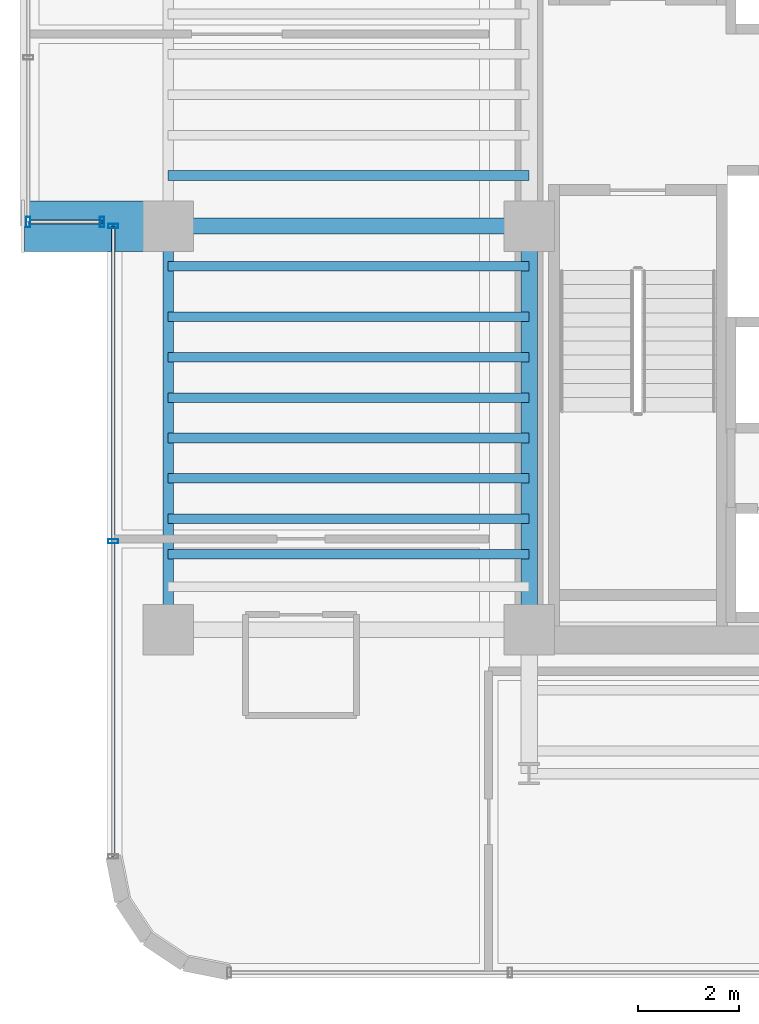
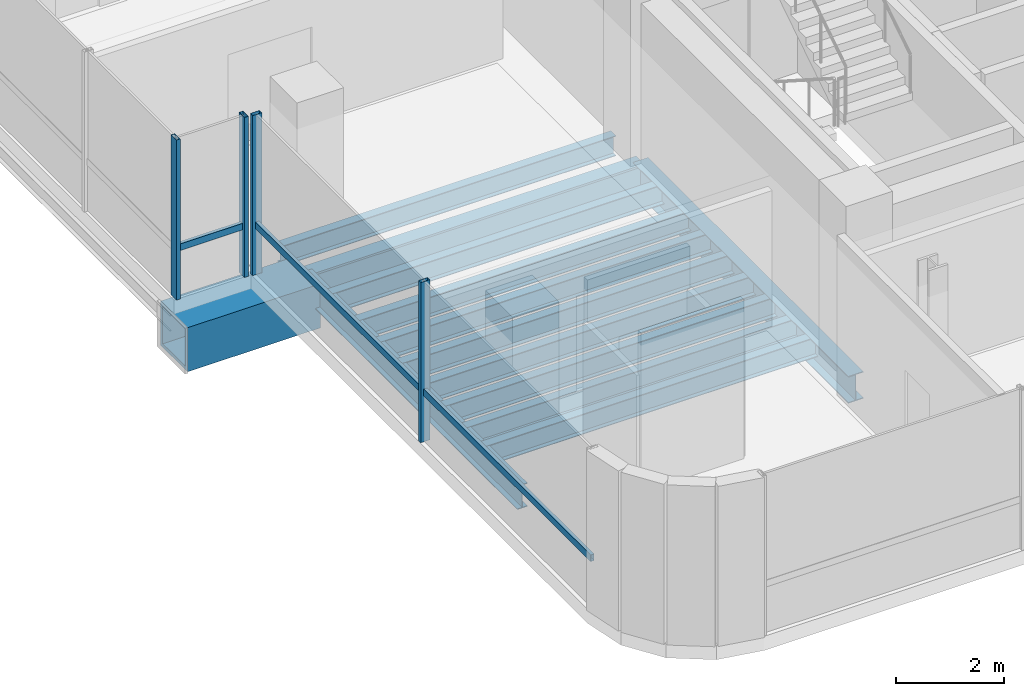
# One storey, part 4 of 36: 13 beams, 6 members, 2 elements without a shape of their own.
"""IFC4 building model written with IfcOpenShell, lengths in metres."""

from ifc_helpers import new_model, si_unit, direction, frame, origin, origin_2d, place, context, subcontext, project, spatial, hollow_rectangle, i_section, extrude, source, transform, mapped, material, material_profile, profile_set, type_object, element, aggregate, save


model = new_model("IFC4")

# Units and contexts
model_context = context("Model", 3, precision=1e-05, world=origin(), true_north=direction((0.0, 1.0)))
body_context = subcontext(model_context, "Body", "Model", "MODEL_VIEW")
ifc_project = project(units=[si_unit("LENGTHUNIT", "METRE"), si_unit("AREAUNIT", "SQUARE_METRE"), si_unit("VOLUMEUNIT", "CUBIC_METRE"), si_unit("PLANEANGLEUNIT", "RADIAN"), si_unit("MASSUNIT", "GRAM", prefix="KILO")], contexts=[model_context])

# Site, building, storey
site_placement = place(None, origin())
site = spatial("IfcSite", under=ifc_project, at=site_placement, CompositionType="ELEMENT")
building_placement = place(site_placement, origin())
building = spatial("IfcBuilding", under=site, at=building_placement, Name="Valdorenza Pilgrim Sanctuary Tower", CompositionType="ELEMENT")
storey_placement = place(building_placement, frame((0.0, 0.0, 176.550048828125)))
storey = spatial("IfcBuildingStorey", under=building, at=storey_placement, Name="L45", CompositionType="ELEMENT", Elevation=176.550048828125)

# Beams
ifc_material_1 = material(Name="Steel ASTM A992 Grade 50", Category="steel")
ifc_material_profile_1 = material_profile(ifc_material_1, i_section(OverallWidth=0.323974609375, OverallDepth=0.611083984375, WebThickness=0.0126953125, FlangeThickness=0.01904296875, at=origin_2d()), Name="W24X104")
ifc_profile_set_1 = profile_set([ifc_material_profile_1], Name="Steel ASTM A992 Grade 50")
beam_type_1 = type_object("IfcBeamType", Name="STR-BM-GRD-W24B", PredefinedType="BEAM", material=ifc_profile_set_1)
shared_shape_1 = source(origin(), body_context, "Body", "SweptSolid", [
    extrude(i_section(OverallWidth=0.323974609375, OverallDepth=0.611083984375, WebThickness=0.0126953125, FlangeThickness=0.01904296875, at=origin_2d()), origin(), (0.0, 0.0, 1.0), 8.0),
])
beam_1_placement = place(storey_placement, frame((-22.64990234375, -10.60009765625, -0.62548828125), z_axis=(0.0, 1.0, 0.0), x_axis=(-1.0, 0.0, 0.0)))
element("IfcBeam", 1, at=beam_1_placement, inside=storey, type_object=beam_type_1, Name="L45 Core Tie Girder CA-W-S1M0", PredefinedType="BEAM", context=body_context, shape_type="MappedRepresentation", body=[
    mapped(shared_shape_1, transform((0.0, 0.0, 0.0), x_axis=(1.0, 0.0, 0.0), y_axis=(0.0, 1.0, 0.0), z_axis=(0.0, 0.0, 1.0), scale=1.0)),
])
ifc_material_profile_2 = material_profile(ifc_material_1, i_section(OverallWidth=0.19091796875, OverallDepth=0.45703125, WebThickness=0.009033203125, FlangeThickness=0.014404296875, at=origin_2d()), Name="W18X50")
ifc_profile_set_2 = profile_set([ifc_material_profile_2], Name="Steel ASTM A992 Grade 50")
beam_type_2 = type_object("IfcBeamType", Name="STR-BM-JST-W18B", PredefinedType="JOIST", material=ifc_profile_set_2)
shared_shape_2 = source(origin(), body_context, "Body", "SweptSolid", [
    extrude(i_section(OverallWidth=0.19091796875, OverallDepth=0.45703125, WebThickness=0.009033203125, FlangeThickness=0.014404296875, at=origin_2d()), origin(), (0.0, 0.0, 1.0), 7.150146484375),
])
for number, where, z_axis, x_axis, name in (
    (2, (-29.800048828125, -9.10009765625, -0.548583984375), (1.0, 0.0, 0.0), (0.0, 1.0, 0.0), "L45 Composite Floor Joist JST-WA-2"),
    (3, (-29.800048828125, -8.39990234375, -0.548583984375), (1.0, 0.0, 0.0), (0.0, 1.0, 0.0), "L45 Composite Floor Joist JST-WA-3"),
    (4, (-29.800048828125, -7.60009765625, -0.548583984375), (1.0, 0.0, 0.0), (0.0, 1.0, 0.0), "L45 Composite Floor Joist JST-WA-4"),
    (5, (-29.800048828125, -6.800048828125, -0.548583984375), (1.0, 0.0, 0.0), (0.0, 1.0, 0.0), "L45 Composite Floor Joist JST-WA-5"),
    (6, (-29.800048828125, -6.0, -0.548583984375), (1.0, 0.0, 0.0), (0.0, 1.0, 0.0), "L45 Composite Floor Joist JST-WA-6"),
    (7, (-29.800048828125, -5.199951171875, -0.548583984375), (1.0, 0.0, 0.0), (0.0, 1.0, 0.0), "L45 Composite Floor Joist JST-WA-7"),
    (8, (-29.800048828125, -4.39990234375, -0.548583984375), (1.0, 0.0, 0.0), (0.0, 1.0, 0.0), "L45 Composite Floor Joist JST-WA-8"),
    (9, (-29.800048828125, -3.39990234375, -0.548583984375), (1.0, 0.0, 0.0), (0.0, 1.0, 0.0), "L45 Composite Floor Joist JST-WA-9"),
    (10, (-29.800048828125, -1.60009765625, -0.548583984375), (1.0, 0.0, 0.0), (0.0, 1.0, 0.0), "L45 Composite Floor Joist JST-WA-10"),
):
    element("IfcBeam", number, at=place(storey_placement, frame(where, z_axis=z_axis, x_axis=x_axis)), inside=storey, type_object=beam_type_2, Name=name, PredefinedType="JOIST", context=body_context, shape_type="MappedRepresentation", body=[
        mapped(shared_shape_2, transform((0.0, 0.0, 0.0), x_axis=(1.0, 0.0, 0.0), y_axis=(0.0, 1.0, 0.0), z_axis=(0.0, 0.0, 1.0), scale=1.0)),
    ])
ifc_material_2 = material(Name="Steel ASTM A572 Grade 42", Category="steel")
ifc_material_profile_3 = material_profile(ifc_material_2, hollow_rectangle(XDim=1.0, YDim=1.0, WallThickness=0.080078125, at=origin_2d()), Name="BOX 1000x1000x80")
ifc_profile_set_3 = profile_set([ifc_material_profile_3], Name="Steel ASTM A572 Grade 42")
beam_type_3 = type_object("IfcBeamType", Name="STR-BM-PROW-CANT", PredefinedType="BEAM", material=ifc_profile_set_3)
shared_shape_3 = source(origin(), body_context, "Body", "SweptSolid", [
    extrude(hollow_rectangle(XDim=1.0, YDim=1.0, WallThickness=0.080078125, at=origin_2d()), origin(), (0.0, 0.0, 1.0), 2.849853515625),
])
beam_2_placement = place(storey_placement, frame((-29.800048828125, -2.60009765625, -0.820068359375), z_axis=(-1.0, 0.0, 0.0), x_axis=(0.0, -1.0, 0.0)))
element("IfcBeam", 11, at=beam_2_placement, inside=storey, type_object=beam_type_3, Name="L45 Glass Box Cantilever Beam BOX-WA-L45-CT-S", PredefinedType="BEAM", context=body_context, shape_type="MappedRepresentation", body=[
    mapped(shared_shape_3, transform((0.0, 0.0, 0.0), x_axis=(1.0, 0.0, 0.0), y_axis=(0.0, 1.0, 0.0), z_axis=(0.0, 0.0, 1.0), scale=1.0)),
])
ifc_material_profile_4 = material_profile(ifc_material_1, i_section(OverallWidth=0.2109375, OverallDepth=0.5390625, WebThickness=0.01171875, FlangeThickness=0.018798828125, at=origin_2d()), Name="W21X73")
ifc_profile_set_4 = profile_set([ifc_material_profile_4], Name="Steel ASTM A992 Grade 50")
beam_type_4 = type_object("IfcBeamType", Name="STR-BM-SPN-W21B", PredefinedType="SPANDREL", material=ifc_profile_set_4)
shared_shape_4 = source(origin(), body_context, "Body", "SweptSolid", [
    extrude(i_section(OverallWidth=0.2109375, OverallDepth=0.5390625, WebThickness=0.01171875, FlangeThickness=0.018798828125, at=origin_2d()), origin(), (0.0, 0.0, 1.0), 8.0),
])
beam_3_placement = place(storey_placement, frame((-29.800048828125, -10.60009765625, -0.589599609375), z_axis=(0.0, 1.0, 0.0), x_axis=(-1.0, 0.0, 0.0)))
element("IfcBeam", 12, at=beam_3_placement, inside=storey, type_object=beam_type_4, Name="L45 Spandrel Beam WA-W-S1M0", PredefinedType="SPANDREL", context=body_context, shape_type="MappedRepresentation", body=[
    mapped(shared_shape_4, transform((0.0, 0.0, 0.0), x_axis=(1.0, 0.0, 0.0), y_axis=(0.0, 1.0, 0.0), z_axis=(0.0, 0.0, 1.0), scale=1.0)),
])
ifc_material_profile_5 = material_profile(ifc_material_1, i_section(OverallWidth=0.31005859375, OverallDepth=0.949951171875, WebThickness=0.0244140625, FlangeThickness=0.0439453125, at=origin_2d()), Name="W36X256")
ifc_profile_set_5 = profile_set([ifc_material_profile_5], Name="Steel ASTM A992 Grade 50")
beam_type_5 = type_object("IfcBeamType", Name="STR-BM-GRD-W36B", PredefinedType="BEAM", material=ifc_profile_set_5)
shared_shape_5 = source(origin(), body_context, "Body", "SweptSolid", [
    extrude(i_section(OverallWidth=0.31005859375, OverallDepth=0.949951171875, WebThickness=0.0244140625, FlangeThickness=0.0439453125, at=origin_2d()), origin(), (0.0, 0.0, 1.0), 7.150146484375),
])
beam_4_placement = place(storey_placement, frame((-29.800048828125, -2.60009765625, -0.795166015625), z_axis=(1.0, 0.0, 0.0), x_axis=(0.0, 1.0, 0.0)))
element("IfcBeam", 13, at=beam_4_placement, inside=storey, type_object=beam_type_5, Name="L45 Floor Girder WA-XW-M0", PredefinedType="BEAM", context=body_context, shape_type="MappedRepresentation", body=[
    mapped(shared_shape_5, transform((0.0, 0.0, 0.0), x_axis=(1.0, 0.0, 0.0), y_axis=(0.0, 1.0, 0.0), z_axis=(0.0, 0.0, 1.0), scale=1.0)),
])

# Curtain wall, member
ifc_material_3 = material(Name="Curtain-wall IGU glazing", Category="glass")
curtain_wall_type = type_object("IfcCurtainWallType", Name="CW-SYS-02", PredefinedType="NOTDEFINED", material=ifc_material_3)
curtain_wall_1_placement = place(storey_placement, origin())
curtain_wall_1 = element("IfcCurtainWall", 14, at=curtain_wall_1_placement, inside=storey, type_object=curtain_wall_type, Name="L45 Curtain Wall CW-L45-BOX-WA-L45-S", PredefinedType="NOTDEFINED")
ifc_material_4 = material(Name="Anodised aluminium AW-6060", Category="aluminium")
ifc_material_profile_6 = material_profile(ifc_material_4, hollow_rectangle(XDim=0.074951171875, YDim=0.14990234375, WallThickness=0.00390625, at=origin_2d()), Name="ALU-T 150x75x4")
ifc_profile_set_6 = profile_set([ifc_material_profile_6], Name="Anodised aluminium AW-6060")
member_type_1 = type_object("IfcMemberType", Name="CW-TRN-02", PredefinedType="USERDEFINED", material=ifc_profile_set_6)
shared_shape_6 = source(origin(), body_context, "Body", "SweptSolid", [
    extrude(hollow_rectangle(XDim=0.074951171875, YDim=0.14990234375, WallThickness=0.00390625, at=origin_2d()), origin(), (0.0, 0.0, 1.0), 1.4599609375),
])
member_1_placement = place(storey_placement, frame((-31.110107421875, -2.52001953125, 1.119873046875), z_axis=(-1.0, 0.0, 0.0), x_axis=(0.0, -1.0, 0.0)))
member_1 = element("IfcMember", 15, at=member_1_placement, type_object=member_type_1, Name="CW-L45-BOX-WA-L45-S Transom 1", ObjectType="TRANSOM", PredefinedType="USERDEFINED", context=body_context, shape_type="MappedRepresentation", body=[
    mapped(shared_shape_6, transform((0.0, 0.0, 0.0), x_axis=(1.0, 0.0, 0.0), y_axis=(0.0, 1.0, 0.0), z_axis=(0.0, 0.0, 1.0), scale=1.0)),
])

# Curtain wall, members
curtain_wall_2_placement = place(storey_placement, origin())
curtain_wall_2 = element("IfcCurtainWall", 16, at=curtain_wall_2_placement, inside=storey, type_object=curtain_wall_type, Name="L45 Curtain Wall CW-L45-1-1S1", PredefinedType="NOTDEFINED")
shared_shape_7 = source(origin(), body_context, "Body", "SweptSolid", [
    extrude(hollow_rectangle(XDim=0.074951171875, YDim=0.14990234375, WallThickness=0.00390625, at=origin_2d()), origin(), (0.0, 0.0, 1.0), 12.489013671875),
])
member_2_placement = place(storey_placement, frame((-30.889892578125, -15.089111328125, 1.119873046875), z_axis=(0.0, 1.0, 0.0), x_axis=(-1.0, 0.0, 0.0)))
member_2 = element("IfcMember", 17, at=member_2_placement, type_object=member_type_1, Name="CW-L45-1-1S1 Transom 1", ObjectType="TRANSOM", PredefinedType="USERDEFINED", context=body_context, shape_type="MappedRepresentation", body=[
    mapped(shared_shape_7, transform((0.0, 0.0, 0.0), x_axis=(1.0, 0.0, 0.0), y_axis=(0.0, 1.0, 0.0), z_axis=(0.0, 0.0, 1.0), scale=1.0)),
])
ifc_material_profile_7 = material_profile(ifc_material_4, hollow_rectangle(XDim=0.0849609375, YDim=0.199951171875, WallThickness=0.0048828125, at=origin_2d()), Name="ALU-M 200x85x5")
ifc_profile_set_7 = profile_set([ifc_material_profile_7], Name="Anodised aluminium AW-6060")
member_type_2 = type_object("IfcMemberType", Name="CW-MUL-02", PredefinedType="MULLION", material=ifc_profile_set_7)
shared_shape_8 = source(origin(), body_context, "Body", "SweptSolid", [
    extrude(hollow_rectangle(XDim=0.0849609375, YDim=0.199951171875, WallThickness=0.0048828125, at=origin_2d()), origin(), (0.0, 0.0, 1.0), 3.6298828125),
])
member_3_placement = place(storey_placement, frame((-30.889892578125, -8.844482421875, 0.0), z_axis=(0.0, 0.0, 1.0), x_axis=(0.0, 1.0, 0.0)))
member_3 = element("IfcMember", 18, at=member_3_placement, type_object=member_type_2, Name="CW-L45-1-1S1 Mullion 2", PredefinedType="MULLION", context=body_context, shape_type="MappedRepresentation", body=[
    mapped(shared_shape_8, transform((0.0, 0.0, 0.0), x_axis=(1.0, 0.0, 0.0), y_axis=(0.0, 1.0, 0.0), z_axis=(0.0, 0.0, 1.0), scale=1.0)),
])
member_4_placement = place(storey_placement, frame((-30.889892578125, -2.60009765625, 0.0), z_axis=(0.0, 0.0, 1.0), x_axis=(0.0, 1.0, 0.0)))
member_4 = element("IfcMember", 19, at=member_4_placement, type_object=member_type_2, Name="CW-L45-1-1S1 Mullion 3", PredefinedType="MULLION", context=body_context, shape_type="MappedRepresentation", body=[
    mapped(shared_shape_8, transform((0.0, 0.0, 0.0), x_axis=(1.0, 0.0, 0.0), y_axis=(0.0, 1.0, 0.0), z_axis=(0.0, 0.0, 1.0), scale=1.0)),
])
aggregate(curtain_wall_2, [member_3, member_4, member_2])

# Member
member_5_placement = place(storey_placement, frame((-31.110107421875, -2.52001953125, 0.0), z_axis=(0.0, 0.0, 1.0), x_axis=(-1.0, 0.0, 0.0)))
member_5 = element("IfcMember", 20, at=member_5_placement, type_object=member_type_2, Name="CW-L45-BOX-WA-L45-S Mullion 1", PredefinedType="MULLION", context=body_context, shape_type="MappedRepresentation", body=[
    mapped(shared_shape_8, transform((0.0, 0.0, 0.0), x_axis=(1.0, 0.0, 0.0), y_axis=(0.0, 1.0, 0.0), z_axis=(0.0, 0.0, 1.0), scale=1.0)),
])

member_6_placement = place(storey_placement, frame((-32.570068359375, -2.52001953125, 0.0), z_axis=(0.0, 0.0, 1.0), x_axis=(-1.0, 0.0, 0.0)))
member_6 = element("IfcMember", 21, at=member_6_placement, type_object=member_type_2, Name="CW-L45-BOX-WA-L45-S Mullion 2", PredefinedType="MULLION", context=body_context, shape_type="MappedRepresentation", body=[
    mapped(shared_shape_8, transform((0.0, 0.0, 0.0), x_axis=(1.0, 0.0, 0.0), y_axis=(0.0, 1.0, 0.0), z_axis=(0.0, 0.0, 1.0), scale=1.0)),
])

aggregate(curtain_wall_1, [member_5, member_6, member_1])

save(model, "model.ifc")
